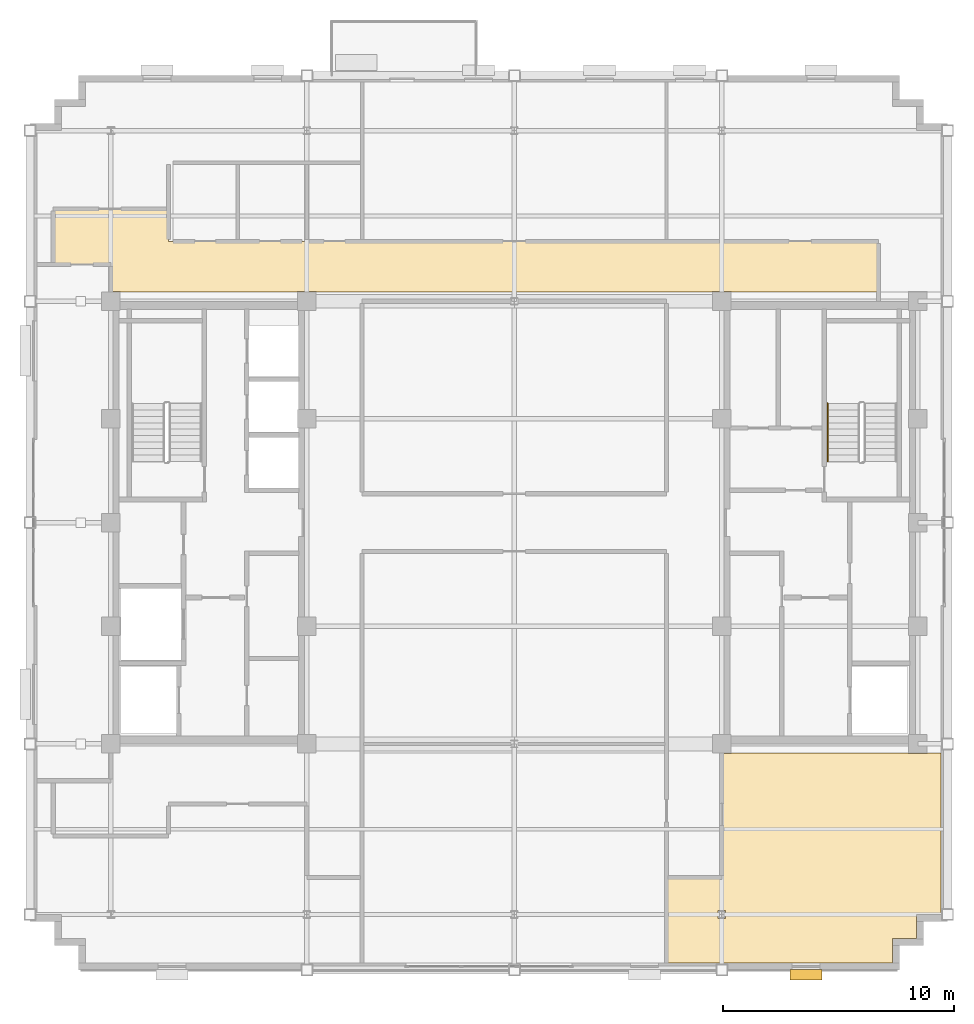
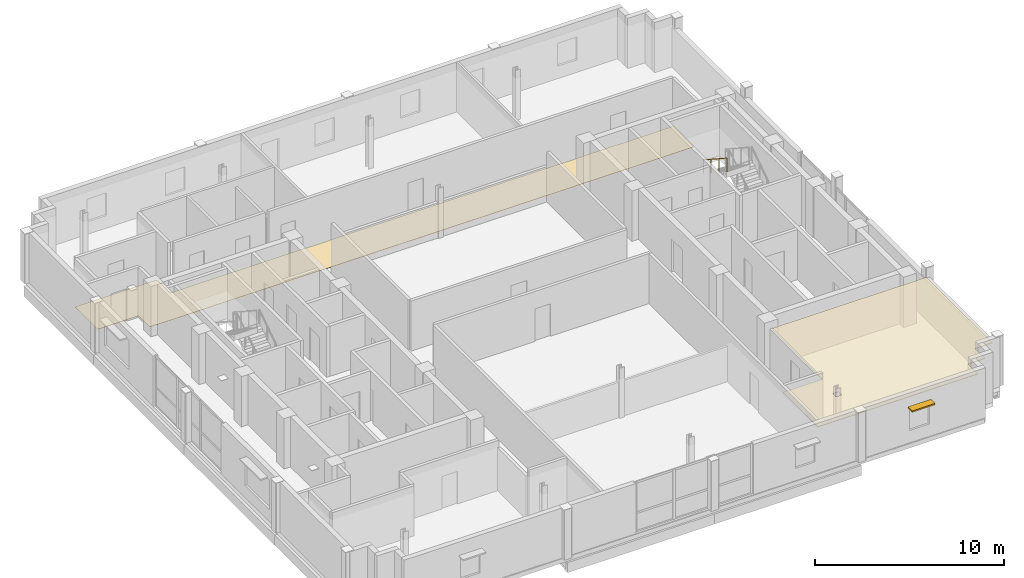
# One storey, part 13 of 15: 2 coverings, 1 railing, 1 shading device.
"""IFC4 building model written with IfcOpenShell, lengths in metres."""

from ifc_helpers import new_model, si_unit, direction, frame, origin, origin_2d, place, context, subcontext, project, spatial, polyline, rectangle, circle, outline, extrude, source, transform, mapped, material, layer, layer_set, type_object, type_shapes, element, save


model = new_model("IFC4")

# Units and contexts
model_context = context("Model", 3, precision=1e-05, world=origin(), true_north=direction((0.0, 1.0)))
body_context = subcontext(model_context, "Body", "Model", "MODEL_VIEW")
ifc_project = project(units=[si_unit("LENGTHUNIT", "METRE"), si_unit("AREAUNIT", "SQUARE_METRE"), si_unit("VOLUMEUNIT", "CUBIC_METRE"), si_unit("PLANEANGLEUNIT", "RADIAN"), si_unit("MASSUNIT", "GRAM", prefix="KILO")], contexts=[model_context])

# Site, building, storey
site_placement = place(None, origin())
site = spatial("IfcSite", under=ifc_project, at=site_placement, CompositionType="ELEMENT")
building_placement = place(site_placement, origin())
building = spatial("IfcBuilding", under=site, at=building_placement, Name="Nuvemarco Arch Tower", CompositionType="ELEMENT")
storey_placement = place(building_placement, frame((0.0, 0.0, 283.5)))
storey = spatial("IfcBuildingStorey", under=building, at=storey_placement, Name="L75", CompositionType="ELEMENT", Elevation=283.5)

# Coverings
ifc_material_1 = material(Name="Mineral acoustic ceiling tile")
ifc_layer_1 = layer(ifc_material_1, 0.0400390625, Name="COV-ACOUSTIC-CLG")
ifc_layer_set_1 = layer_set([ifc_layer_1], Name="Mineral acoustic ceiling tile")
covering_type_1 = type_object("IfcCoveringType", Name="COV-ACOUSTIC-CLG", PredefinedType="CEILING", material=ifc_layer_set_1)
covering_1_placement = place(storey_placement, frame((0.0, 0.0, 2.72998046875)))
element("IfcCovering", 1, at=covering_1_placement, inside=storey, type_object=covering_type_1, Name="L75 suspended acoustic ceiling 2", PredefinedType="CEILING", context=body_context, shape_type="SweptSolid", body=[
    extrude(outline(polyline([(16.39990234375, -19.10009765625), (6.60009765625, -19.10009765625), (6.60009765625, -15.39990234375), (9.0, -15.39990234375), (9.0, -10.014892578125), (9.4150390625, -10.014892578125), (9.4150390625, -10.0), (17.0849609375, -10.0), (17.0849609375, -10.014892578125), (17.9150390625, -10.014892578125), (17.9150390625, -10.0), (18.5, -10.0), (18.5, -17.0), (17.449951171875, -17.0), (17.449951171875, -18.050048828125), (16.39990234375, -18.050048828125), (16.39990234375, -19.10009765625)]), holes=[polyline([(9.169921875, -17.169921875), (9.169921875, -16.830078125), (8.830078125, -16.830078125), (8.830078125, -17.169921875), (9.169921875, -17.169921875)])]), origin(), (0.0, 0.0, 1.0), 0.0400390625),
])
ifc_material_2 = material(Name="Polished granite terrazzostone flooring", Category="masonry")
ifc_layer_2 = layer(ifc_material_2, 0.02001953125, Name="COV-LOBBY-FLR")
ifc_layer_set_2 = layer_set([ifc_layer_2], Name="Polished granite terrazzostone flooring")
covering_type_2 = type_object("IfcCoveringType", Name="COV-LOBBY-FLR", PredefinedType="FLOORING", material=ifc_layer_set_2)
covering_2_placement = place(storey_placement, origin())
element("IfcCovering", 2, at=covering_2_placement, inside=storey, type_object=covering_type_2, Name="L75 polished terrazzo lobby flooring", PredefinedType="FLOORING", context=body_context, shape_type="SweptSolid", body=[
    extrude(outline(polyline([(-8.5849609375, 10.014892578125), (-9.4150390625, 10.014892578125), (-9.4150390625, 10.0), (-17.0849609375, 10.0), (-17.0849609375, 10.014892578125), (-17.5, 10.014892578125), (-17.5, 11.199951171875), (-20.0, 11.199951171875), (-20.0, 13.60009765625), (-15.0, 13.60009765625), (-15.0, 12.199951171875), (-9.0, 12.199951171875), (-6.60009765625, 12.199951171875), (6.60009765625, 12.199951171875), (9.0, 12.199951171875), (15.800048828125, 12.199951171875), (15.800048828125, 10.0), (9.4150390625, 10.0), (9.4150390625, 10.014892578125), (8.5849609375, 10.014892578125), (8.5849609375, 10.0), (-8.5849609375, 10.0), (-8.5849609375, 10.014892578125)])), origin(), (0.0, 0.0, 1.0), 0.02001953125),
])

# Railing
ifc_material_3 = material(Name="Brushed stainless steel handrail", Category="steel")
railing_type = type_object("IfcRailingType", Name="RL-HANDRAIL-900", PredefinedType="HANDRAIL", material=ifc_material_3)
railing_placement = place(storey_placement, frame((13.590087890625, 5.169921875, 2.007568359375)))
element("IfcRailing", 3, at=railing_placement, inside=storey, type_object=railing_type, Name="L75 ST-2 stair handrail 2", PredefinedType="HANDRAIL", context=body_context, shape_type="SweptSolid", body=[
    extrude(circle(Radius=0.02392578125, at=origin_2d()), frame((0.0, 0.0, 0.8759765625), z_axis=(0.0, -0.837786554691, 0.545997883492), x_axis=(1.0, 0.0, 0.0)), (0.0, 0.0, 1.0), 3.008056640625),
    extrude(circle(Radius=0.02099609375, at=origin_2d()), origin(), (0.0, 0.0, 1.0), 0.851806640625),
    extrude(circle(Radius=0.02099609375, at=origin_2d()), frame((0.0, -0.840087890625, 0.54736328125)), (0.0, 0.0, 1.0), 0.851806640625),
    extrude(circle(Radius=0.02099609375, at=origin_2d()), frame((0.0, -1.679931640625, 1.094970703125)), (0.0, 0.0, 1.0), 0.851806640625),
    extrude(circle(Radius=0.02099609375, at=origin_2d()), frame((0.0, -2.52001953125, 1.642333984375)), (0.0, 0.0, 1.0), 0.851806640625),
])

# Shading device
ifc_material_4 = material(Name="Anodised aluminium 6063-T6", Category="aluminium")
shading_device_type = type_object("IfcShadingDeviceType", Name="SHD-BRISE-NARROW", PredefinedType="USERDEFINED", material=ifc_material_4)
shared_shape = source(origin(), body_context, "Body", "SweptSolid", [
    extrude(rectangle(XDim=1.39990234375, YDim=0.449951171875, at=origin_2d()), origin(), (0.0, 0.0, 1.0), 0.080078125),
])
type_shapes(shading_device_type, [shared_shape])
shading_device_placement = place(storey_placement, frame((12.64990234375, -19.614990234375, 2.284912109375), z_axis=(0.0, 0.0, 1.0), x_axis=(1.0, 0.0, 0.0)))
element("IfcShadingDevice", 4, at=shading_device_placement, inside=storey, type_object=shading_device_type, Name="L75 horizontal brise-soleil sunshade", ObjectType="SUNSHADE", PredefinedType="USERDEFINED", context=body_context, shape_type="MappedRepresentation", body=[
    mapped(shared_shape, transform((0.0, 0.0, 0.0), scale=1.0)),
])

save(model, "model.ifc")
